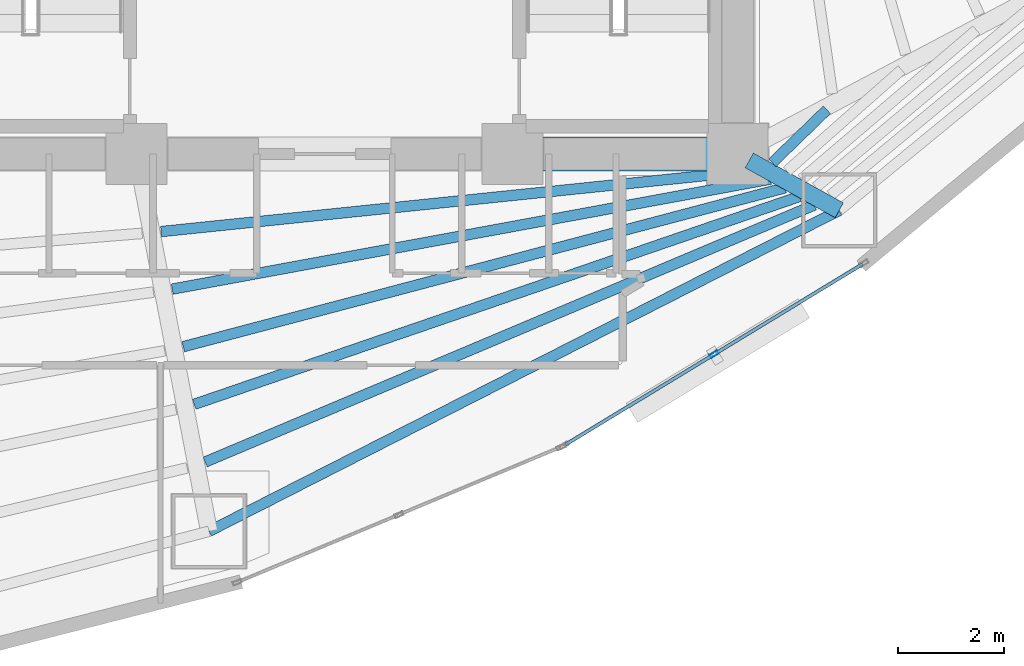
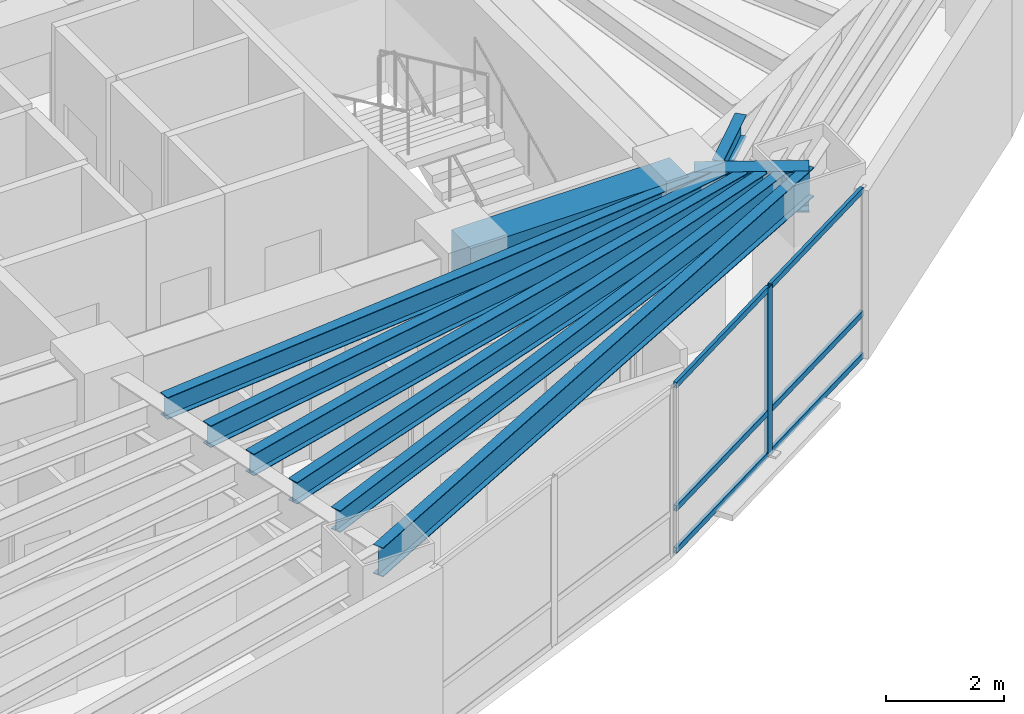
# One storey, part 5 of 17: 9 beams, 7 members, 1 element without a shape of its own.
"""IFC4 building model written with IfcOpenShell, lengths in metres."""

from ifc_helpers import new_model, si_unit, direction, frame, origin, origin_2d, place, context, subcontext, project, spatial, rectangle, hollow_rectangle, i_section, extrude, material, layer, layer_set, material_profile, profile_set, type_object, element, aggregate, save


model = new_model("IFC4")

# Units and contexts
model_context = context("Model", 3, precision=1e-05, world=origin(), true_north=direction((0.0, 1.0)))
body_context = subcontext(model_context, "Body", "Model", "MODEL_VIEW")
ifc_project = project(units=[si_unit("LENGTHUNIT", "METRE"), si_unit("AREAUNIT", "SQUARE_METRE"), si_unit("VOLUMEUNIT", "CUBIC_METRE"), si_unit("PLANEANGLEUNIT", "RADIAN"), si_unit("MASSUNIT", "GRAM", prefix="KILO")], contexts=[model_context])

# Site, building, storey
site_placement = place(None, origin())
site = spatial("IfcSite", under=ifc_project, at=site_placement, CompositionType="ELEMENT")
building_placement = place(site_placement, origin())
building = spatial("IfcBuilding", under=site, at=building_placement, Name="Menara Vayukalpa", CompositionType="ELEMENT")
storey_placement = place(building_placement, frame((0.0, 0.0, 38.760009765625)))
storey = spatial("IfcBuildingStorey", under=building, at=storey_placement, Name="L08", CompositionType="ELEMENT", Elevation=38.760009765625)

# Beams
ifc_material_1 = material(Name="Concrete C60/75", Category="concrete")
ifc_material_profile_1 = material_profile(ifc_material_1, rectangle(XDim=0.64990234375, YDim=0.85009765625, at=origin_2d()), Name="RC 650x850")
ifc_profile_set_1 = profile_set([ifc_material_profile_1], Name="Concrete C60/75")
beam_type_1 = type_object("IfcBeamType", Name="BM-CB1", PredefinedType="BEAM", material=ifc_profile_set_1)
beam_1_placement = place(storey_placement, frame((29.14990234375, 17.199951171875, 3.044921875), z_axis=(1.0, 0.0, 0.0), x_axis=(0.0, 1.0, 0.0)))
element("IfcBeam", 1, at=beam_1_placement, inside=storey, type_object=beam_type_1, Name="L08 Core Tie Beam CBR3", PredefinedType="BEAM", context=body_context, shape_type="SweptSolid", body=[
    extrude(rectangle(XDim=0.64990234375, YDim=0.85009765625, at=origin_2d()), origin(), (0.0, 0.0, 1.0), 4.25),
])
ifc_material_2 = material(Name="Steel S355", Category="steel")
ifc_material_profile_2 = material_profile(ifc_material_2, i_section(OverallWidth=0.320068359375, OverallDepth=0.85009765625, WebThickness=0.01611328125, FlangeThickness=0.030029296875, at=origin_2d()), Name="WF 850x320x16x30")
ifc_profile_set_2 = profile_set([ifc_material_profile_2], Name="Steel S355")
beam_type_2 = type_object("IfcBeamType", Name="BM-PG2", PredefinedType="BEAM", material=ifc_profile_set_2)
beam_2_placement = place(storey_placement, frame((33.61865234375, 17.078857421875, 3.044921875), z_axis=(0.87459548214, -0.484853320727, 0.0), x_axis=(0.484853320727, 0.87459548214, 0.0)))
element("IfcBeam", 2, at=beam_2_placement, inside=storey, type_object=beam_type_2, Name="L08 Primary Radial Girder RG09", PredefinedType="BEAM", context=body_context, shape_type="SweptSolid", body=[
    extrude(i_section(OverallWidth=0.320068359375, OverallDepth=0.85009765625, WebThickness=0.01611328125, FlangeThickness=0.030029296875, at=origin_2d()), origin(), (0.0, 0.0, 1.0), 1.943115234375),
])
ifc_material_3 = material(Name="Steel S355", Category="steel")
ifc_material_profile_3 = material_profile(ifc_material_3, i_section(OverallWidth=0.199951171875, OverallDepth=0.449951171875, WebThickness=0.009033203125, FlangeThickness=0.013916015625, at=origin_2d()), Name="WF 450x200x9x14")
ifc_profile_set_3 = profile_set([ifc_material_profile_3], Name="Steel S355")
beam_type_3 = type_object("IfcBeamType", Name="BM-SJ1", PredefinedType="JOIST", material=ifc_profile_set_3)
beam_3_placement = place(storey_placement, frame((22.514404296875, 15.735107421875, 3.244873046875), z_axis=(0.994746828953, 0.102365747631, 0.0), x_axis=(-0.102365747631, 0.994746828953, 0.0)))
element("IfcBeam", 3, at=beam_3_placement, inside=storey, type_object=beam_type_3, Name="L08 Secondary Floor Joist SJ08-1", PredefinedType="JOIST", context=body_context, shape_type="SweptSolid", body=[
    extrude(i_section(OverallWidth=0.199951171875, OverallDepth=0.449951171875, WebThickness=0.009033203125, FlangeThickness=0.013916015625, at=origin_2d()), origin(), (0.0, 0.0, 1.0), 11.29052734375),
])
beam_4_placement = place(storey_placement, frame((22.723876953125, 14.648681640625, 3.244873046875), z_axis=(0.983504975359, 0.180881075419, 0.0), x_axis=(-0.180881075419, 0.983504975359, 0.0)))
element("IfcBeam", 4, at=beam_4_placement, inside=storey, type_object=beam_type_3, Name="L08 Secondary Floor Joist SJ08-2", PredefinedType="JOIST", context=body_context, shape_type="SweptSolid", body=[
    extrude(i_section(OverallWidth=0.199951171875, OverallDepth=0.449951171875, WebThickness=0.009033203125, FlangeThickness=0.013916015625, at=origin_2d()), origin(), (0.0, 0.0, 1.0), 11.48486328125),
])
beam_5_placement = place(storey_placement, frame((22.932373046875, 13.561767578125, 3.244873046875), z_axis=(0.966863757537, 0.255292918746, 0.0), x_axis=(-0.255292918746, 0.966863757537, 0.0)))
element("IfcBeam", 5, at=beam_5_placement, inside=storey, type_object=beam_type_3, Name="L08 Secondary Floor Joist SJ08-3", PredefinedType="JOIST", context=body_context, shape_type="SweptSolid", body=[
    extrude(i_section(OverallWidth=0.199951171875, OverallDepth=0.449951171875, WebThickness=0.009033203125, FlangeThickness=0.013916015625, at=origin_2d()), origin(), (0.0, 0.0, 1.0), 11.751220703125),
])
beam_6_placement = place(storey_placement, frame((23.14013671875, 12.473876953125, 3.244873046875), z_axis=(0.945794261669, 0.324766400038, 0.0), x_axis=(-0.324766400038, 0.945794261669, 0.0)))
element("IfcBeam", 6, at=beam_6_placement, inside=storey, type_object=beam_type_3, Name="L08 Secondary Floor Joist SJ08-4", PredefinedType="JOIST", context=body_context, shape_type="SweptSolid", body=[
    extrude(i_section(OverallWidth=0.199951171875, OverallDepth=0.449951171875, WebThickness=0.009033203125, FlangeThickness=0.013916015625, at=origin_2d()), origin(), (0.0, 0.0, 1.0), 12.0849609375),
])
beam_7_placement = place(storey_placement, frame((23.34716796875, 11.385009765625, 3.244873046875), z_axis=(0.921359344435, 0.38871192215, 0.0), x_axis=(-0.38871192215, 0.921359344435, 0.0)))
element("IfcBeam", 7, at=beam_7_placement, inside=storey, type_object=beam_type_3, Name="L08 Secondary Floor Joist SJ08-5", PredefinedType="JOIST", context=body_context, shape_type="SweptSolid", body=[
    extrude(i_section(OverallWidth=0.199951171875, OverallDepth=0.449951171875, WebThickness=0.009033203125, FlangeThickness=0.013916015625, at=origin_2d()), origin(), (0.0, 0.0, 1.0), 12.48046875),
])
beam_8_placement = place(storey_placement, frame((34.0537109375, 17.03466796875, 3.244873046875), z_axis=(0.717488193219, 0.696570665899, 0.0), x_axis=(-0.696570665899, 0.717488193219, 0.0)))
element("IfcBeam", 8, at=beam_8_placement, inside=storey, type_object=beam_type_3, Name="L08 Secondary Floor Joist SJ09-1", PredefinedType="JOIST", context=body_context, shape_type="SweptSolid", body=[
    extrude(i_section(OverallWidth=0.199951171875, OverallDepth=0.449951171875, WebThickness=0.009033203125, FlangeThickness=0.013916015625, at=origin_2d()), origin(), (0.0, 0.0, 1.0), 1.435546875),
])
ifc_material_4 = material(Name="Steel S355", Category="steel")
ifc_material_profile_4 = material_profile(ifc_material_4, i_section(OverallWidth=0.199951171875, OverallDepth=0.60009765625, WebThickness=0.010986328125, FlangeThickness=0.01708984375, at=origin_2d()), Name="WF 600x200x11x17")
ifc_profile_set_4 = profile_set([ifc_material_profile_4], Name="Steel S355")
beam_type_4 = type_object("IfcBeamType", Name="BM-SP1", PredefinedType="SPANDREL", material=ifc_profile_set_4)
beam_9_placement = place(storey_placement, frame((23.41943359375, 10.0771484375, 3.169921875), z_axis=(0.891100743313, 0.453805536841, 0.0), x_axis=(-0.453805536841, 0.891100743313, 0.0)))
element("IfcBeam", 9, at=beam_9_placement, inside=storey, type_object=beam_type_4, Name="L08 Perimeter Spandrel Beam SP08", PredefinedType="SPANDREL", context=body_context, shape_type="SweptSolid", body=[
    extrude(i_section(OverallWidth=0.199951171875, OverallDepth=0.60009765625, WebThickness=0.010986328125, FlangeThickness=0.01708984375, at=origin_2d()), origin(), (0.0, 0.0, 1.0), 13.352783203125),
])

# Curtain wall, members
ifc_material_5 = material(Name="Anodised Terracotta Aluminium Alloy 6063-T6", Category="masonry")
ifc_layer = layer(ifc_material_5, 0.1650390625)
ifc_layer_set = layer_set([ifc_layer], Name="Anodised Terracotta Aluminium Alloy 6063-T6")
curtain_wall_type = type_object("IfcCurtainWallType", Name="CW-CW2", PredefinedType="USERDEFINED", material=ifc_layer_set)
curtain_wall_placement = place(storey_placement, origin())
curtain_wall = element("IfcCurtainWall", 10, at=curtain_wall_placement, inside=storey, type_object=curtain_wall_type, Name="L08 Low Rise Terracotta Ribbon Curtain Wall CW2 17", ObjectType="UNITISED", PredefinedType="USERDEFINED")
ifc_material_6 = material(Name="Anodised Terracotta Aluminium Alloy 6063-T6", Category="masonry")
ifc_material_profile_5 = material_profile(ifc_material_6, hollow_rectangle(XDim=0.070068359375, YDim=0.1650390625, WallThickness=0.00390625, at=origin_2d()), Name="ALU 70x165x4")
ifc_profile_set_5 = profile_set([ifc_material_profile_5], Name="Anodised Terracotta Aluminium Alloy 6063-T6")
member_type_1 = type_object("IfcMemberType", Name="CWM-CW2", PredefinedType="MULLION", material=ifc_profile_set_5)
member_1_placement = place(storey_placement, frame((32.9560546875, 13.418701171875, 0.0), z_axis=(0.0, 0.0, 1.0), x_axis=(-0.519181964377, 0.854663727945, 0.0)))
member_1 = element("IfcMember", 11, at=member_1_placement, type_object=member_type_1, Name="CW2 mullion 2", PredefinedType="MULLION", context=body_context, shape_type="SweptSolid", body=[
    extrude(hollow_rectangle(XDim=0.070068359375, YDim=0.1650390625, WallThickness=0.00390625, at=origin_2d()), origin(), (0.0, 0.0, 1.0), 3.469970703125),
])
ifc_material_7 = material(Name="Anodised Terracotta Aluminium Alloy 6063-T6", Category="masonry")
ifc_material_profile_6 = material_profile(ifc_material_7, hollow_rectangle(XDim=0.06494140625, YDim=0.1201171875, WallThickness=0.00341796875, at=origin_2d()), Name="ALU 65x120x3.5")
ifc_profile_set_6 = profile_set([ifc_material_profile_6], Name="Anodised Terracotta Aluminium Alloy 6063-T6")
member_type_2 = type_object("IfcMemberType", Name="CWT-CW2", PredefinedType="USERDEFINED", material=ifc_profile_set_6)
member_2_placement = place(storey_placement, frame((30.155029296875, 11.717041015625, 0.032470703125), z_axis=(0.854676552714, 0.519160851992, 0.0), x_axis=(-0.519160851992, 0.854676552714, 0.0)))
member_2 = element("IfcMember", 12, at=member_2_placement, type_object=member_type_2, Name="CW2 transom 1.1", ObjectType="TRANSOM", PredefinedType="USERDEFINED", context=body_context, shape_type="SweptSolid", body=[
    extrude(hollow_rectangle(XDim=0.06494140625, YDim=0.1201171875, WallThickness=0.00341796875, at=origin_2d()), origin(), (0.0, 0.0, 1.0), 3.242431640625),
])
member_3_placement = place(storey_placement, frame((30.155029296875, 11.717041015625, 0.89990234375), z_axis=(0.854676552714, 0.519160851992, 0.0), x_axis=(-0.519160851992, 0.854676552714, 0.0)))
member_3 = element("IfcMember", 13, at=member_3_placement, type_object=member_type_2, Name="CW2 transom 1.2", ObjectType="TRANSOM", PredefinedType="USERDEFINED", context=body_context, shape_type="SweptSolid", body=[
    extrude(hollow_rectangle(XDim=0.06494140625, YDim=0.1201171875, WallThickness=0.00341796875, at=origin_2d()), origin(), (0.0, 0.0, 1.0), 3.242431640625),
])
member_4_placement = place(storey_placement, frame((30.155029296875, 11.717041015625, 3.4375), z_axis=(0.854676552714, 0.519160851992, 0.0), x_axis=(-0.519160851992, 0.854676552714, 0.0)))
member_4 = element("IfcMember", 14, at=member_4_placement, type_object=member_type_2, Name="CW2 transom 1.3", ObjectType="TRANSOM", PredefinedType="USERDEFINED", context=body_context, shape_type="SweptSolid", body=[
    extrude(hollow_rectangle(XDim=0.06494140625, YDim=0.1201171875, WallThickness=0.00341796875, at=origin_2d()), origin(), (0.0, 0.0, 1.0), 3.242431640625),
])
member_5_placement = place(storey_placement, frame((32.986083984375, 13.436767578125, 0.032470703125), z_axis=(0.854643142641, 0.519215849851, 0.0), x_axis=(-0.519215849851, 0.854643142641, 0.0)))
member_5 = element("IfcMember", 15, at=member_5_placement, type_object=member_type_2, Name="CW2 transom 2.1", ObjectType="TRANSOM", PredefinedType="USERDEFINED", context=body_context, shape_type="SweptSolid", body=[
    extrude(hollow_rectangle(XDim=0.06494140625, YDim=0.1201171875, WallThickness=0.00341796875, at=origin_2d()), origin(), (0.0, 0.0, 1.0), 3.24267578125),
])
member_6_placement = place(storey_placement, frame((32.986083984375, 13.436767578125, 0.89990234375), z_axis=(0.854643142641, 0.519215849851, 0.0), x_axis=(-0.519215849851, 0.854643142641, 0.0)))
member_6 = element("IfcMember", 16, at=member_6_placement, type_object=member_type_2, Name="CW2 transom 2.2", ObjectType="TRANSOM", PredefinedType="USERDEFINED", context=body_context, shape_type="SweptSolid", body=[
    extrude(hollow_rectangle(XDim=0.06494140625, YDim=0.1201171875, WallThickness=0.00341796875, at=origin_2d()), origin(), (0.0, 0.0, 1.0), 3.24267578125),
])
member_7_placement = place(storey_placement, frame((32.986083984375, 13.436767578125, 3.4375), z_axis=(0.854643142641, 0.519215849851, 0.0), x_axis=(-0.519215849851, 0.854643142641, 0.0)))
member_7 = element("IfcMember", 17, at=member_7_placement, type_object=member_type_2, Name="CW2 transom 2.3", ObjectType="TRANSOM", PredefinedType="USERDEFINED", context=body_context, shape_type="SweptSolid", body=[
    extrude(hollow_rectangle(XDim=0.06494140625, YDim=0.1201171875, WallThickness=0.00341796875, at=origin_2d()), origin(), (0.0, 0.0, 1.0), 3.24267578125),
])
aggregate(curtain_wall, [member_1, member_2, member_3, member_4, member_5, member_6, member_7])

save(model, "model.ifc")
